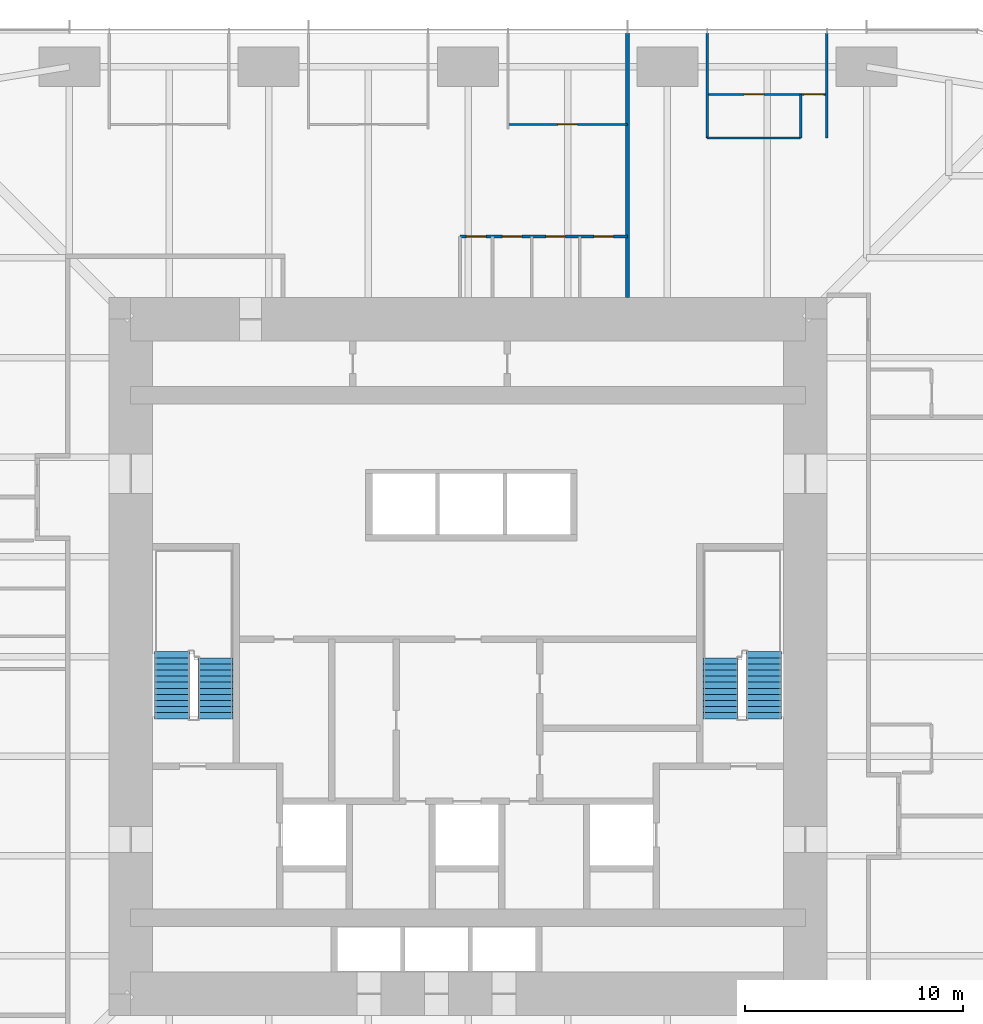
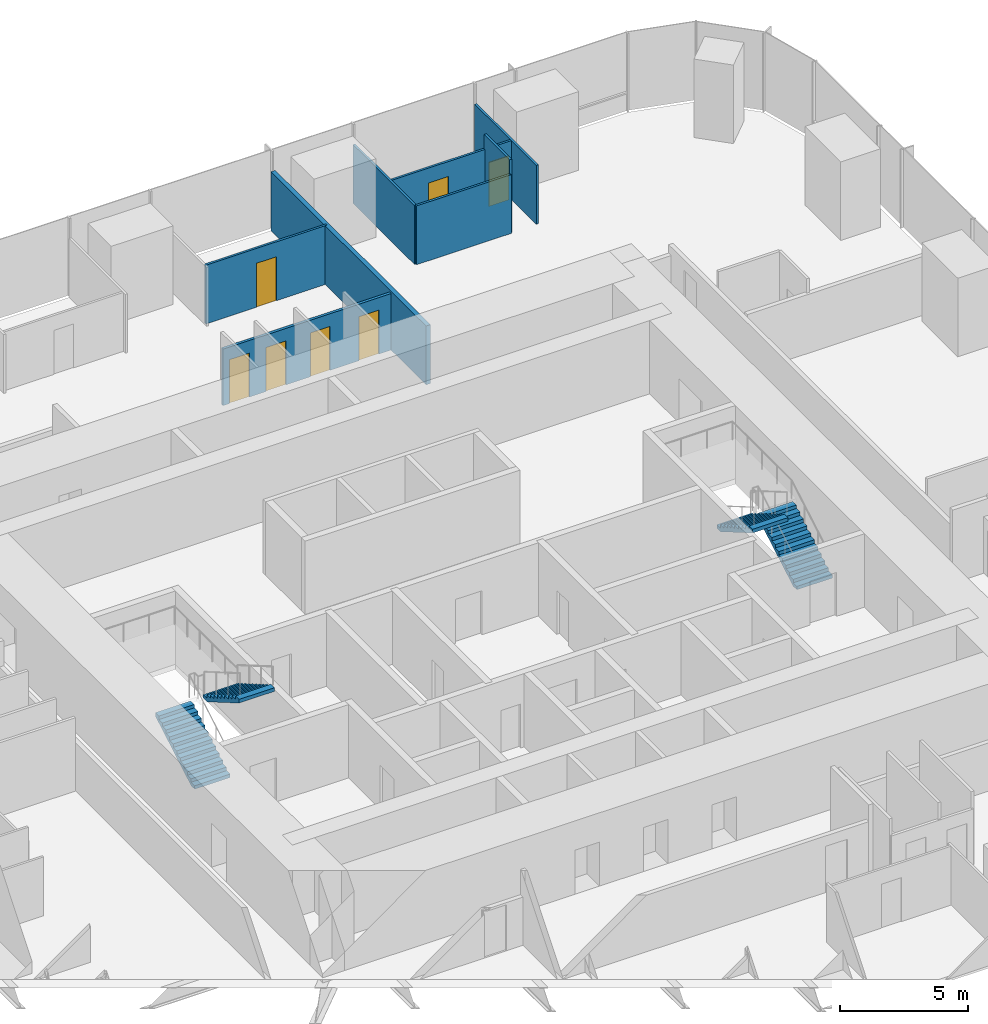
# One storey, part 12 of 13: 8 walls, 7 doors, 4 stair flights, 7 openings, 2 elements without a shape of their own.
"""IFC4 building model written with IfcOpenShell, lengths in metres."""

from ifc_helpers import new_model, si_unit, direction, frame, frame_2d, origin, place, context, subcontext, project, spatial, polyline, rectangle, outline, extrude, material, layer, layer_set, type_object, element, fill, aggregate, save


model = new_model("IFC4")

# Units and contexts
model_context = context("Model", 3, precision=1e-05, world=origin(), true_north=direction((0.0, 1.0)))
body_context = subcontext(model_context, "Body", "Model", "MODEL_VIEW")
ifc_project = project(units=[si_unit("LENGTHUNIT", "METRE"), si_unit("AREAUNIT", "SQUARE_METRE"), si_unit("VOLUMEUNIT", "CUBIC_METRE"), si_unit("PLANEANGLEUNIT", "RADIAN"), si_unit("MASSUNIT", "GRAM", prefix="KILO")], contexts=[model_context])

# Site, building, storey
site_placement = place(None, origin())
site = spatial("IfcSite", under=ifc_project, at=site_placement, CompositionType="ELEMENT")
building_placement = place(site_placement, origin())
building = spatial("IfcBuilding", under=site, at=building_placement, Name="Khuree Lantern Residences", CompositionType="ELEMENT")
storey_placement = place(building_placement, frame((0.0, 0.0, 144.75)))
storey = spatial("IfcBuildingStorey", under=building, at=storey_placement, Name="L36", CompositionType="ELEMENT", Elevation=144.75)

# Wall, openings, doors
ifc_material_1 = material(Name="Moisture-resistant gypsum board on steel studs", Category="steel")
ifc_layer_1 = layer(ifc_material_1, 0.125)
ifc_layer_set_1 = layer_set([ifc_layer_1], Name="BATHROOM WALL BTW125")
wall_type_1 = type_object("IfcWallType", Name="BATHROOM WALL BTW125", PredefinedType="PARTITIONING", material=ifc_layer_set_1)
wall_1_placement = place(storey_placement, frame((7.327880859375, 19.300048828125, 0.0), z_axis=(0.0, 0.0, 1.0), x_axis=(-1.0, 0.0, 0.0)))
wall_1 = element("IfcWall", 1, at=wall_1_placement, inside=storey, type_object=wall_type_1, Name="L36 BATHROOM WALL 03", PredefinedType="PARTITIONING", context=body_context, shape_type="SweptSolid", body=[
    extrude(rectangle(XDim=7.699951171875, YDim=0.125, at=frame_2d((3.85009765625, 0.0))), origin(), (0.0, 0.0, 1.0), 2.699951171875),
])
opening_1_placement = place(wall_1_placement, frame((0.64990234375, 0.0, 0.0)))
opening_1 = element("IfcOpeningElement", 2, at=opening_1_placement, cuts=wall_1, Name="Opening 36-035", PredefinedType="OPENING", context=body_context, shape_type="SweptSolid", body=[
    extrude(rectangle(XDim=0.89990234375, YDim=2.10009765625, at=frame_2d((0.449951171875, 1.050048828125))), frame((0.0, 0.072509765625, 0.0), z_axis=(0.0, -1.0, 0.0), x_axis=(1.0, 0.0, 0.0)), (0.0, 0.0, 1.0), 0.14501953125),
])
opening_2_placement = place(wall_1_placement, frame((2.85009765625, 0.0, 0.0)))
opening_2 = element("IfcOpeningElement", 3, at=opening_2_placement, cuts=wall_1, Name="Opening 36-036", PredefinedType="OPENING", context=body_context, shape_type="SweptSolid", body=[
    extrude(rectangle(XDim=0.89990234375, YDim=2.10009765625, at=frame_2d((0.449951171875, 1.050048828125))), frame((0.0, 0.072509765625, 0.0), z_axis=(0.0, -1.0, 0.0), x_axis=(1.0, 0.0, 0.0)), (0.0, 0.0, 1.0), 0.14501953125),
])
opening_3_placement = place(wall_1_placement, frame((4.85009765625, 0.0, 0.0)))
opening_3 = element("IfcOpeningElement", 4, at=opening_3_placement, cuts=wall_1, Name="Opening 36-037", PredefinedType="OPENING", context=body_context, shape_type="SweptSolid", body=[
    extrude(rectangle(XDim=0.89990234375, YDim=2.10009765625, at=frame_2d((0.449951171875, 1.050048828125))), frame((0.0, 0.072509765625, 0.0), z_axis=(0.0, -1.0, 0.0), x_axis=(1.0, 0.0, 0.0)), (0.0, 0.0, 1.0), 0.14501953125),
])
opening_4_placement = place(wall_1_placement, frame((6.5, 0.0, 0.0)))
opening_4 = element("IfcOpeningElement", 5, at=opening_4_placement, cuts=wall_1, Name="Opening 36-038", PredefinedType="OPENING", context=body_context, shape_type="SweptSolid", body=[
    extrude(rectangle(XDim=0.89990234375, YDim=2.10009765625, at=frame_2d((0.449951171875, 1.050048828125))), frame((0.0, 0.072509765625, 0.0), z_axis=(0.0, -1.0, 0.0), x_axis=(1.0, 0.0, 0.0)), (0.0, 0.0, 1.0), 0.14501953125),
])
ifc_material_2 = material(Name="Timber door leaf in hardwood frame", Category="wood")
door_type_1 = type_object("IfcDoorType", Name="BATHROOM DOOR 900X2100", OperationType="SINGLE_SWING_LEFT", PredefinedType="DOOR", material=ifc_material_2)
door_1_placement = place(opening_1_placement, origin())
door_1 = element("IfcDoor", 6, at=door_1_placement, inside=storey, type_object=door_type_1, Name="Bathroom door 36-035", OperationType="SINGLE_SWING_LEFT", OverallHeight=2.10009765625, OverallWidth=0.89990234375, PredefinedType="DOOR", context=body_context, shape_type="SweptSolid", body=[
    extrude(rectangle(XDim=0.89990234375, YDim=2.10009765625, at=frame_2d((0.449951171875, 1.050048828125))), frame((0.0, 0.02490234375, 0.0), z_axis=(0.0, -1.0, 0.0), x_axis=(1.0, 0.0, 0.0)), (0.0, 0.0, 1.0), 0.050048828125),
])
fill(opening_1, door_1)
door_2_placement = place(opening_2_placement, origin())
door_2 = element("IfcDoor", 7, at=door_2_placement, inside=storey, type_object=door_type_1, Name="Bathroom door 36-036", OperationType="SINGLE_SWING_LEFT", OverallHeight=2.10009765625, OverallWidth=0.89990234375, PredefinedType="DOOR", context=body_context, shape_type="SweptSolid", body=[
    extrude(rectangle(XDim=0.89990234375, YDim=2.10009765625, at=frame_2d((0.449951171875, 1.050048828125))), frame((0.0, 0.02490234375, 0.0), z_axis=(0.0, -1.0, 0.0), x_axis=(1.0, 0.0, 0.0)), (0.0, 0.0, 1.0), 0.050048828125),
])
fill(opening_2, door_2)
door_type_2 = type_object("IfcDoorType", Name="DOOR 900X2100", OperationType="SINGLE_SWING_LEFT", PredefinedType="DOOR", material=ifc_material_2)
door_3_placement = place(opening_3_placement, origin())
door_3 = element("IfcDoor", 8, at=door_3_placement, inside=storey, type_object=door_type_2, Name="Store door 36-037", OperationType="SINGLE_SWING_LEFT", OverallHeight=2.10009765625, OverallWidth=0.89990234375, PredefinedType="DOOR", context=body_context, shape_type="SweptSolid", body=[
    extrude(rectangle(XDim=0.89990234375, YDim=2.10009765625, at=frame_2d((0.449951171875, 1.050048828125))), frame((0.0, 0.02490234375, 0.0), z_axis=(0.0, -1.0, 0.0), x_axis=(1.0, 0.0, 0.0)), (0.0, 0.0, 1.0), 0.050048828125),
])
fill(opening_3, door_3)
door_type_3 = type_object("IfcDoorType", Name="WC DOOR 900X2100", OperationType="SINGLE_SWING_LEFT", PredefinedType="DOOR", material=ifc_material_2)
door_4_placement = place(opening_4_placement, origin())
door_4 = element("IfcDoor", 9, at=door_4_placement, inside=storey, type_object=door_type_3, Name="WC door 36-038", OperationType="SINGLE_SWING_LEFT", OverallHeight=2.10009765625, OverallWidth=0.89990234375, PredefinedType="DOOR", context=body_context, shape_type="SweptSolid", body=[
    extrude(rectangle(XDim=0.89990234375, YDim=2.10009765625, at=frame_2d((0.449951171875, 1.050048828125))), frame((0.0, 0.02490234375, 0.0), z_axis=(0.0, -1.0, 0.0), x_axis=(1.0, 0.0, 0.0)), (0.0, 0.0, 1.0), 0.050048828125),
])
fill(opening_4, door_4)

# Walls
ifc_material_3 = material(Name="Gypsum board on steel studs", Category="steel")
ifc_layer_2 = layer(ifc_material_3, 0.199951171875)
ifc_layer_set_2 = layer_set([ifc_layer_2], Name="DEMISING WALL DMW200 EI 90")
wall_type_2 = type_object("IfcWallType", Name="DEMISING WALL DMW200 EI 90", PredefinedType="PARTITIONING", material=ifc_layer_set_2)
wall_2_placement = place(storey_placement, frame((7.327880859375, 16.5, 0.0), z_axis=(0.0, 0.0, 1.0), x_axis=(0.0, 1.0, 0.0)))
element("IfcWall", 10, at=wall_2_placement, inside=storey, type_object=wall_type_2, Name="L36 DEMISING WALL 03", PredefinedType="PARTITIONING", context=body_context, shape_type="SweptSolid", body=[
    extrude(rectangle(XDim=12.14990234375, YDim=0.199951171875, at=frame_2d((6.074951171875, 0.0))), origin(), (0.0, 0.0, 1.0), 2.81005859375),
])
ifc_layer_3 = layer(ifc_material_3, 0.10009765625)
ifc_layer_set_3 = layer_set([ifc_layer_3], Name="PARTITION PT100")
wall_type_3 = type_object("IfcWallType", Name="PARTITION PT100", PredefinedType="PARTITIONING", material=ifc_layer_set_3)
for number, where, z_axis, x_axis, name in (
    (11, (16.488037109375, 23.829833984375, 0.0), (0.0, 0.0, 1.0), (0.0, 1.0, 0.0), "L36 PARTITION 02"),
    (12, (10.991943359375, 23.829833984375, 0.0), (0.0, 0.0, 1.0), (0.0, 1.0, 0.0), "L36 PARTITION 02"),
):
    element("IfcWall", number, at=place(storey_placement, frame(where, z_axis=z_axis, x_axis=x_axis)), inside=storey, type_object=wall_type_3, Name=name, PredefinedType="PARTITIONING", context=body_context, shape_type="SweptSolid", body=[
        extrude(rectangle(XDim=4.820068359375, YDim=0.10009765625, at=frame_2d((2.41015625, 0.0))), origin(), (0.0, 0.0, 1.0), 2.81005859375),
    ])

# Wall, openings, doors
wall_3_placement = place(storey_placement, frame((16.488037109375, 25.829833984375, 0.0), z_axis=(0.0, 0.0, 1.0), x_axis=(-1.0, 0.0, 0.0)))
wall_3 = element("IfcWall", 13, at=wall_3_placement, inside=storey, type_object=wall_type_3, Name="L36 PARTITION 02", PredefinedType="PARTITIONING", context=body_context, shape_type="SweptSolid", body=[
    extrude(rectangle(XDim=5.49609375, YDim=0.10009765625, at=frame_2d((2.748046875, 0.0))), origin(), (0.0, 0.0, 1.0), 2.81005859375),
])
opening_5_placement = place(wall_3_placement, frame((0.14990234375, 0.0, 0.0)))
opening_5 = element("IfcOpeningElement", 14, at=opening_5_placement, cuts=wall_3, Name="Opening 36-026", PredefinedType="OPENING", context=body_context, shape_type="SweptSolid", body=[
    extrude(rectangle(XDim=0.89990234375, YDim=2.10009765625, at=frame_2d((0.449951171875, 1.050048828125))), frame((0.0, 0.06005859375, 0.0), z_axis=(0.0, -1.0, 0.0), x_axis=(1.0, 0.0, 0.0)), (0.0, 0.0, 1.0), 0.1201171875),
])
opening_6_placement = place(wall_3_placement, frame((2.89794921875, 0.0, 0.0)))
opening_6 = element("IfcOpeningElement", 15, at=opening_6_placement, cuts=wall_3, Name="Opening 36-027", PredefinedType="OPENING", context=body_context, shape_type="SweptSolid", body=[
    extrude(rectangle(XDim=0.89990234375, YDim=2.10009765625, at=frame_2d((0.449951171875, 1.050048828125))), frame((0.0, 0.06005859375, 0.0), z_axis=(0.0, -1.0, 0.0), x_axis=(1.0, 0.0, 0.0)), (0.0, 0.0, 1.0), 0.1201171875),
])
door_type_4 = type_object("IfcDoorType", Name="BEDROOM DOOR 900X2100", OperationType="SINGLE_SWING_LEFT", PredefinedType="DOOR", material=ifc_material_2)
door_5_placement = place(opening_5_placement, origin())
door_5 = element("IfcDoor", 16, at=door_5_placement, inside=storey, type_object=door_type_4, Name="Bedroom door 36-026", OperationType="SINGLE_SWING_LEFT", OverallHeight=2.10009765625, OverallWidth=0.89990234375, PredefinedType="DOOR", context=body_context, shape_type="SweptSolid", body=[
    extrude(rectangle(XDim=0.89990234375, YDim=2.10009765625, at=frame_2d((0.449951171875, 1.050048828125))), frame((0.0, 0.02490234375, 0.0), z_axis=(0.0, -1.0, 0.0), x_axis=(1.0, 0.0, 0.0)), (0.0, 0.0, 1.0), 0.050048828125),
])
fill(opening_5, door_5)
door_6_placement = place(opening_6_placement, origin())
door_6 = element("IfcDoor", 17, at=door_6_placement, inside=storey, type_object=door_type_2, Name="Wardrobe door 36-027", OperationType="SINGLE_SWING_LEFT", OverallHeight=2.10009765625, OverallWidth=0.89990234375, PredefinedType="DOOR", context=body_context, shape_type="SweptSolid", body=[
    extrude(rectangle(XDim=0.89990234375, YDim=2.10009765625, at=frame_2d((0.449951171875, 1.050048828125))), frame((0.0, 0.02490234375, 0.0), z_axis=(0.0, -1.0, 0.0), x_axis=(1.0, 0.0, 0.0)), (0.0, 0.0, 1.0), 0.050048828125),
])
fill(opening_6, door_6)

# Walls
wall_4_placement = place(storey_placement, frame((15.2880859375, 23.829833984375, 0.0), z_axis=(0.0, 0.0, 1.0), x_axis=(0.0, 1.0, 0.0)))
element("IfcWall", 18, at=wall_4_placement, inside=storey, type_object=wall_type_3, Name="L36 PARTITION 02", PredefinedType="PARTITIONING", context=body_context, shape_type="SweptSolid", body=[
    extrude(rectangle(XDim=2.0, YDim=0.10009765625, at=frame_2d((1.0, 0.0))), origin(), (0.0, 0.0, 1.0), 3.5),
])
wall_5_placement = place(storey_placement, frame((15.2880859375, 23.829833984375, 0.0), z_axis=(0.0, 0.0, 1.0), x_axis=(-1.0, 0.0, 0.0)))
element("IfcWall", 19, at=wall_5_placement, inside=storey, type_object=wall_type_3, Name="L36 PARTITION 02", PredefinedType="PARTITIONING", context=body_context, shape_type="SweptSolid", body=[
    extrude(rectangle(XDim=4.296142578125, YDim=0.10009765625, at=frame_2d((2.14794921875, 0.0))), origin(), (0.0, 0.0, 1.0), 2.81005859375),
])

# Wall, opening, door
wall_6_placement = place(storey_placement, frame((7.327880859375, 24.449951171875, 0.0), z_axis=(0.0, 0.0, 1.0), x_axis=(-1.0, 0.0, 0.0)))
wall_6 = element("IfcWall", 20, at=wall_6_placement, inside=storey, type_object=wall_type_3, Name="L36 PARTITION 03", PredefinedType="PARTITIONING", context=body_context, shape_type="SweptSolid", body=[
    extrude(rectangle(XDim=5.495849609375, YDim=0.10009765625, at=frame_2d((2.748046875, 0.0))), origin(), (0.0, 0.0, 1.0), 2.81005859375),
])
opening_7_placement = place(wall_6_placement, frame((2.298095703125, 0.0, 0.0)))
opening_7 = element("IfcOpeningElement", 21, at=opening_7_placement, cuts=wall_6, Name="Opening 36-030", PredefinedType="OPENING", context=body_context, shape_type="SweptSolid", body=[
    extrude(rectangle(XDim=0.89990234375, YDim=2.10009765625, at=frame_2d((0.449951171875, 1.050048828125))), frame((0.0, 0.06005859375, 0.0), z_axis=(0.0, -1.0, 0.0), x_axis=(1.0, 0.0, 0.0)), (0.0, 0.0, 1.0), 0.1201171875),
])
door_7_placement = place(opening_7_placement, origin())
door_7 = element("IfcDoor", 22, at=door_7_placement, inside=storey, type_object=door_type_4, Name="Bedroom door 36-030", OperationType="SINGLE_SWING_LEFT", OverallHeight=2.10009765625, OverallWidth=0.89990234375, PredefinedType="DOOR", context=body_context, shape_type="SweptSolid", body=[
    extrude(rectangle(XDim=0.89990234375, YDim=2.10009765625, at=frame_2d((0.449951171875, 1.050048828125))), frame((0.0, 0.02490234375, 0.0), z_axis=(0.0, -1.0, 0.0), x_axis=(1.0, 0.0, 0.0)), (0.0, 0.0, 1.0), 0.050048828125),
])
fill(opening_7, door_7)

# Stair, stair flights
ifc_material_4 = material(Name="Concrete C40/50", Category="concrete")
stair_type = type_object("IfcStairType", Name="STAIR ST1 HALF TURN 3600", PredefinedType="HALF_TURN_STAIR", material=ifc_material_4)
stair_1_placement = place(storey_placement, origin())
stair_1 = element("IfcStair", 23, at=stair_1_placement, inside=storey, type_object=stair_type, Name="Stair ST1", PredefinedType="HALF_TURN_STAIR")
stair_flight_type = type_object("IfcStairFlightType", Name="STAIR FLIGHT SF1 1600", PredefinedType="STRAIGHT", material=ifc_material_4)
stair_flight_1_placement = place(storey_placement, frame((-13.60009765625, -2.860107421875, 0.0), z_axis=(0.0, 0.0, 1.0), x_axis=(0.0, 1.0, 0.0)))
stair_flight_1 = element("IfcStairFlight", 24, at=stair_flight_1_placement, type_object=stair_flight_type, Name="ST1 flight 1", NumberOfRisers=12, NumberOfTreads=11, PredefinedType="STRAIGHT", RiserHeight=0.163043478, TreadLength=0.28, context=body_context, shape_type="SweptSolid", body=[
    extrude(outline(polyline([(0.0, 0.0), (0.0, 0.1630859375), (0.280029296875, 0.1630859375), (0.280029296875, 0.326171875), (0.56005859375, 0.326171875), (0.56005859375, 0.489013671875), (0.840087890625, 0.489013671875), (0.840087890625, 0.652099609375), (1.1201171875, 0.652099609375), (1.1201171875, 0.815185546875), (1.39990234375, 0.815185546875), (1.39990234375, 0.978271484375), (1.679931640625, 0.978271484375), (1.679931640625, 1.141357421875), (1.9599609375, 1.141357421875), (1.9599609375, 1.304443359375), (2.239990234375, 1.304443359375), (2.239990234375, 1.46728515625), (2.52001953125, 1.46728515625), (2.52001953125, 1.63037109375), (2.800048828125, 1.63037109375), (2.800048828125, 1.79345703125), (3.080078125, 1.79345703125), (3.080078125, 1.95654296875), (3.080078125, 1.6201171875), (0.2978515625, 0.0), (0.0, 0.0)])), frame((0.0, 0.800048828125, 0.0), z_axis=(0.0, -1.0, 0.0), x_axis=(1.0, 0.0, 0.0)), (0.0, 0.0, 1.0), 1.60009765625),
])
stair_flight_2_placement = place(storey_placement, frame((-11.60009765625, -0.06005859375, 1.95654296875), z_axis=(0.0, 0.0, 1.0), x_axis=(0.0, -1.0, 0.0)))
stair_flight_2 = element("IfcStairFlight", 25, at=stair_flight_2_placement, type_object=stair_flight_type, Name="ST1 flight 2", NumberOfRisers=11, NumberOfTreads=10, PredefinedType="STRAIGHT", RiserHeight=0.163043478, TreadLength=0.28, context=body_context, shape_type="SweptSolid", body=[
    extrude(outline(polyline([(0.0, 0.0), (0.0, 0.1630859375), (0.280029296875, 0.1630859375), (0.280029296875, 0.326171875), (0.56005859375, 0.326171875), (0.56005859375, 0.489013671875), (0.840087890625, 0.489013671875), (0.840087890625, 0.652099609375), (1.1201171875, 0.652099609375), (1.1201171875, 0.815185546875), (1.39990234375, 0.815185546875), (1.39990234375, 0.978271484375), (1.679931640625, 0.978271484375), (1.679931640625, 1.141357421875), (1.9599609375, 1.141357421875), (1.9599609375, 1.304443359375), (2.239990234375, 1.304443359375), (2.239990234375, 1.46728515625), (2.52001953125, 1.46728515625), (2.52001953125, 1.63037109375), (2.800048828125, 1.63037109375), (2.800048828125, 1.79345703125), (2.800048828125, 1.45703125), (0.2978515625, 0.0), (0.0, 0.0)])), frame((0.0, 0.800048828125, 0.0), z_axis=(0.0, -1.0, 0.0), x_axis=(1.0, 0.0, 0.0)), (0.0, 0.0, 1.0), 1.60009765625),
])
aggregate(stair_1, [stair_flight_1, stair_flight_2])

stair_2_placement = place(storey_placement, origin())
stair_2 = element("IfcStair", 26, at=stair_2_placement, inside=storey, type_object=stair_type, Name="Stair ST2", PredefinedType="HALF_TURN_STAIR")
stair_flight_3_placement = place(storey_placement, frame((13.60009765625, -2.860107421875, 0.0), z_axis=(0.0, 0.0, 1.0), x_axis=(0.0, 1.0, 0.0)))
stair_flight_3 = element("IfcStairFlight", 27, at=stair_flight_3_placement, type_object=stair_flight_type, Name="ST2 flight 1", NumberOfRisers=12, NumberOfTreads=11, PredefinedType="STRAIGHT", RiserHeight=0.163043478, TreadLength=0.28, context=body_context, shape_type="SweptSolid", body=[
    extrude(outline(polyline([(0.0, 0.0), (0.0, 0.1630859375), (0.280029296875, 0.1630859375), (0.280029296875, 0.326171875), (0.56005859375, 0.326171875), (0.56005859375, 0.489013671875), (0.840087890625, 0.489013671875), (0.840087890625, 0.652099609375), (1.1201171875, 0.652099609375), (1.1201171875, 0.815185546875), (1.39990234375, 0.815185546875), (1.39990234375, 0.978271484375), (1.679931640625, 0.978271484375), (1.679931640625, 1.141357421875), (1.9599609375, 1.141357421875), (1.9599609375, 1.304443359375), (2.239990234375, 1.304443359375), (2.239990234375, 1.46728515625), (2.52001953125, 1.46728515625), (2.52001953125, 1.63037109375), (2.800048828125, 1.63037109375), (2.800048828125, 1.79345703125), (3.080078125, 1.79345703125), (3.080078125, 1.95654296875), (3.080078125, 1.6201171875), (0.2978515625, 0.0), (0.0, 0.0)])), frame((0.0, 0.800048828125, 0.0), z_axis=(0.0, -1.0, 0.0), x_axis=(1.0, 0.0, 0.0)), (0.0, 0.0, 1.0), 1.60009765625),
])
stair_flight_4_placement = place(storey_placement, frame((11.60009765625, -0.06005859375, 1.95654296875), z_axis=(0.0, 0.0, 1.0), x_axis=(0.0, -1.0, 0.0)))
stair_flight_4 = element("IfcStairFlight", 28, at=stair_flight_4_placement, type_object=stair_flight_type, Name="ST2 flight 2", NumberOfRisers=11, NumberOfTreads=10, PredefinedType="STRAIGHT", RiserHeight=0.163043478, TreadLength=0.28, context=body_context, shape_type="SweptSolid", body=[
    extrude(outline(polyline([(0.0, 0.0), (0.0, 0.1630859375), (0.280029296875, 0.1630859375), (0.280029296875, 0.326171875), (0.56005859375, 0.326171875), (0.56005859375, 0.489013671875), (0.840087890625, 0.489013671875), (0.840087890625, 0.652099609375), (1.1201171875, 0.652099609375), (1.1201171875, 0.815185546875), (1.39990234375, 0.815185546875), (1.39990234375, 0.978271484375), (1.679931640625, 0.978271484375), (1.679931640625, 1.141357421875), (1.9599609375, 1.141357421875), (1.9599609375, 1.304443359375), (2.239990234375, 1.304443359375), (2.239990234375, 1.46728515625), (2.52001953125, 1.46728515625), (2.52001953125, 1.63037109375), (2.800048828125, 1.63037109375), (2.800048828125, 1.79345703125), (2.800048828125, 1.45703125), (0.2978515625, 0.0), (0.0, 0.0)])), frame((0.0, 0.800048828125, 0.0), z_axis=(0.0, -1.0, 0.0), x_axis=(1.0, 0.0, 0.0)), (0.0, 0.0, 1.0), 1.60009765625),
])
aggregate(stair_2, [stair_flight_3, stair_flight_4])

save(model, "model.ifc")
